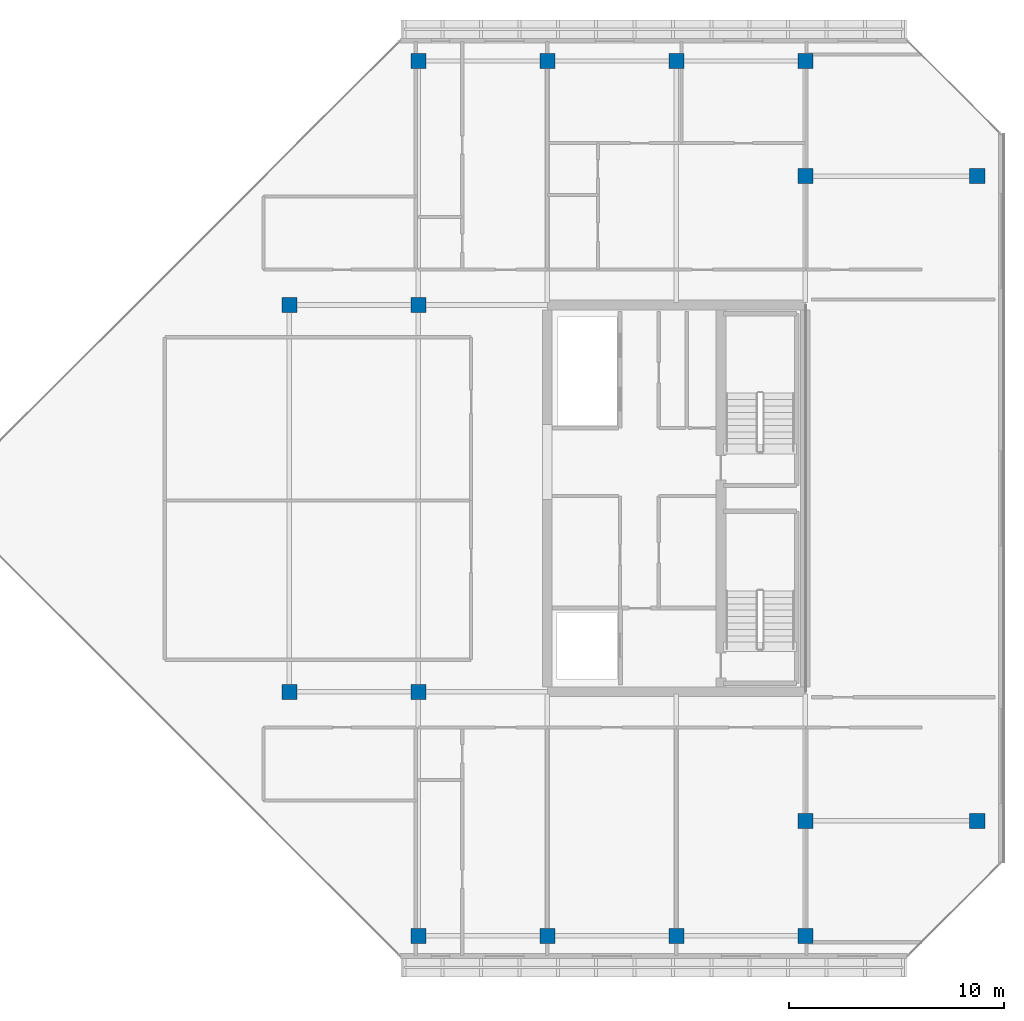
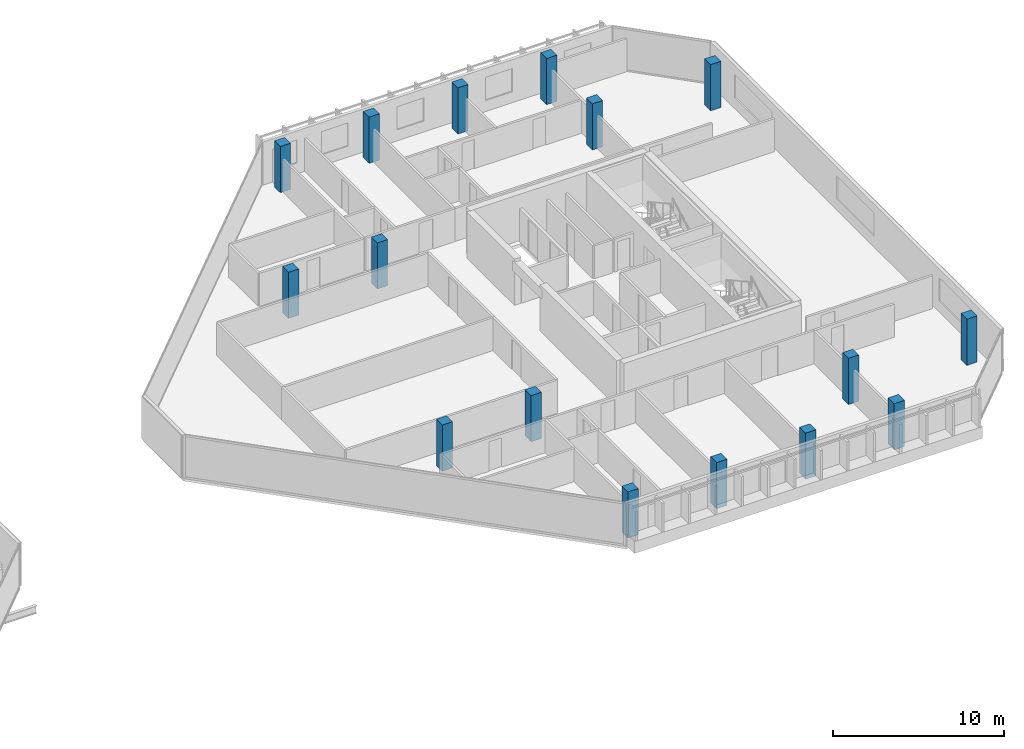
# One storey, part 1 of 28: 16 columns.
"""IFC4 building model written with IfcOpenShell, lengths in metres."""

from ifc_helpers import new_model, si_unit, direction, frame, origin, origin_2d, place, context, subcontext, project, spatial, rectangle, extrude, material, material_profile, profile_set, type_object, element, save


model = new_model("IFC4")

# Units and contexts
model_context = context("Model", 3, precision=1e-05, world=origin(), true_north=direction((0.0, 1.0)))
body_context = subcontext(model_context, "Body", "Model", "MODEL_VIEW")
ifc_project = project(units=[si_unit("LENGTHUNIT", "METRE"), si_unit("AREAUNIT", "SQUARE_METRE"), si_unit("VOLUMEUNIT", "CUBIC_METRE"), si_unit("PLANEANGLEUNIT", "RADIAN"), si_unit("MASSUNIT", "GRAM", prefix="KILO")], contexts=[model_context])

# Site, building, storey
site_placement = place(None, origin())
site = spatial("IfcSite", under=ifc_project, at=site_placement, CompositionType="ELEMENT")
building_placement = place(site_placement, origin())
building = spatial("IfcBuilding", under=site, at=building_placement, Name="Tanjung Sevakor Pilgrim Tower", CompositionType="ELEMENT")
storey_placement = place(building_placement, frame((0.0, 0.0, 239.25)))
storey = spatial("IfcBuildingStorey", under=building, at=storey_placement, Name="L67", CompositionType="ELEMENT", Elevation=239.25)

# Columns
ifc_material = material(Name="Concrete C60/75", Category="concrete")
ifc_material_profile = material_profile(ifc_material, rectangle(XDim=0.699951171875, YDim=0.699951171875, at=origin_2d()))
ifc_profile_set = profile_set([ifc_material_profile], Name="Concrete C60/75")
column_type = type_object("IfcColumnType", Name="COL-C-T700-RC_700x700", PredefinedType="COLUMN", material=ifc_profile_set)
for number, where, z_axis, x_axis, name in (
    (1, (66.0, 24.60009765625, 0.0), (0.0, 0.0, 1.0), (1.0, 0.0, 0.0), "L67 Column SPE-066-246"),
    (2, (66.0, 42.60009765625, 0.0), (0.0, 0.0, 1.0), (1.0, 0.0, 0.0), "L67 Column SPE-066-426"),
    (3, (72.0, 24.60009765625, 0.0), (0.0, 0.0, 1.0), (1.0, 0.0, 0.0), "L67 Column SPE-072-246"),
    (4, (72.0, 42.60009765625, 0.0), (0.0, 0.0, 1.0), (1.0, 0.0, 0.0), "L67 Column SPE-072-426"),
    (5, (90.0, 18.60009765625, 0.0), (0.0, 0.0, 1.0), (1.0, 0.0, 0.0), "L67 Column TCE-0900-186"),
    (6, (90.0, 48.60009765625, 0.0), (0.0, 0.0, 1.0), (1.0, 0.0, 0.0), "L67 Column TCE-0900-486"),
    (7, (98.0, 18.60009765625, 0.0), (0.0, 0.0, 1.0), (1.0, 0.0, 0.0), "L67 Column TCE-0980-186"),
    (8, (98.0, 48.60009765625, 0.0), (0.0, 0.0, 1.0), (1.0, 0.0, 0.0), "L67 Column TCE-0980-486"),
    (9, (72.0, 13.25, 0.0), (0.0, 0.0, 1.0), (1.0, 0.0, 0.0), "L67 Column TC4-072-132"),
    (10, (72.0, 53.949951171875, 0.0), (0.0, 0.0, 1.0), (1.0, 0.0, 0.0), "L67 Column TC4-072-540"),
    (11, (78.0, 13.25, 0.0), (0.0, 0.0, 1.0), (1.0, 0.0, 0.0), "L67 Column TC4-078-132"),
    (12, (78.0, 53.949951171875, 0.0), (0.0, 0.0, 1.0), (1.0, 0.0, 0.0), "L67 Column TC4-078-540"),
    (13, (84.0, 13.25, 0.0), (0.0, 0.0, 1.0), (1.0, 0.0, 0.0), "L67 Column TC4-084-132"),
    (14, (84.0, 53.949951171875, 0.0), (0.0, 0.0, 1.0), (1.0, 0.0, 0.0), "L67 Column TC4-084-540"),
    (15, (90.0, 13.25, 0.0), (0.0, 0.0, 1.0), (1.0, 0.0, 0.0), "L67 Column TC4-090-132"),
    (16, (90.0, 53.949951171875, 0.0), (0.0, 0.0, 1.0), (1.0, 0.0, 0.0), "L67 Column TC4-090-540"),
):
    element("IfcColumn", number, at=place(storey_placement, frame(where, z_axis=z_axis, x_axis=x_axis)), inside=storey, type_object=column_type, Name=name, PredefinedType="COLUMN", context=body_context, shape_type="SweptSolid", body=[
        extrude(rectangle(XDim=0.699951171875, YDim=0.699951171875, at=origin_2d()), origin(), (0.0, 0.0, 1.0), 3.300048828125),
    ])

save(model, "model.ifc")
